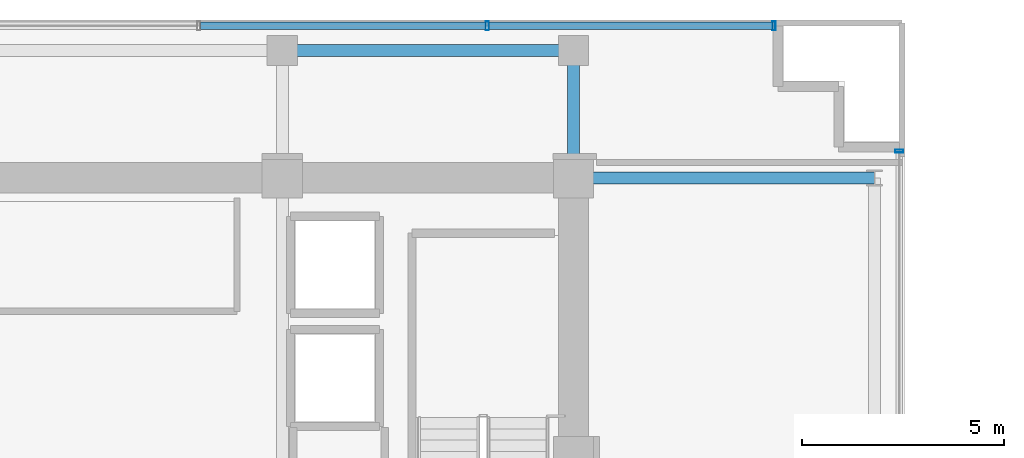
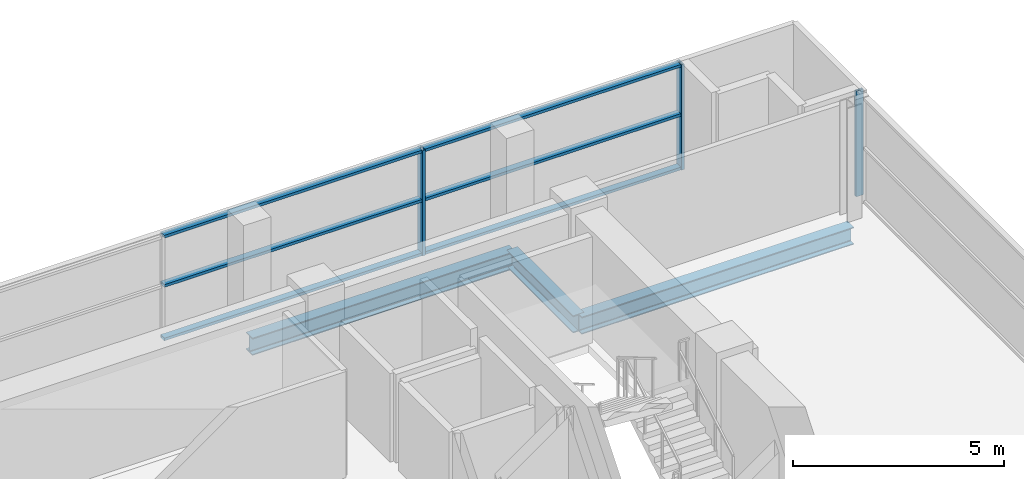
# One storey, part 16 of 25: 9 members, 3 beams, 2 elements without a shape of their own.
"""IFC4 building model written with IfcOpenShell, lengths in metres."""

import ifcopenshell
import ifcopenshell.guid

model = None  # the IFC model being written
_history = None  # IfcOwnerHistory: only IFC2X3 demands one
_inside = {}  # id of a spatial element -> (the spatial element, [elements in it])
_under = {}  # id of a project, library or spatial element -> (it, [spatial elements below it])
_declared = {}  # id of a project -> (the project, [libraries it declares])
_typed = {}  # id of a type object -> (the type object, [elements of that type])
_made_of = {}  # id of a material, layer set ... -> (it, [elements and type objects made of it])


def new_model(schema):
    """Start an empty IFC model of exactly this schema.

    Asked for "IFC4X3", IfcOpenShell would pick the latest addendum, in which some entities
    have other attributes; the version numbers below select the first issue.
    IFC2X3 requires an IfcOwnerHistory on every rooted entity: one is made here for all.
    """
    global model, _history
    if schema == "IFC4X3":
        model = ifcopenshell.file(schema_version=(4, 3, 0, 0))
    else:
        model = ifcopenshell.file(schema=schema)
    _inside.clear()
    _under.clear()
    _declared.clear()
    _typed.clear()
    _made_of.clear()
    _history = None
    if model.schema == "IFC2X3":
        org = make("IfcOrganization", Name="unknown")
        user = make(
            "IfcPersonAndOrganization",
            ThePerson=make("IfcPerson", FamilyName="unknown"),
            TheOrganization=org,
        )
        app = make(
            "IfcApplication",
            ApplicationDeveloper=org,
            Version="unknown",
            ApplicationFullName="unknown",
            ApplicationIdentifier="unknown",
        )
        _history = make(
            "IfcOwnerHistory",
            OwningUser=user,
            OwningApplication=app,
            ChangeAction="ADDED",
            CreationDate=0,
        )
    return model


def make(cls, **values):
    """One entity of the class cls with the attributes given. An attribute that is None is left unset."""
    return model.create_entity(
        cls, **{name: value for name, value in values.items() if value is not None}
    )


def rooted(cls, **values):
    """An entity with a GlobalId (a new one), such as an element, a storey or a relation."""
    return make(cls, GlobalId=ifcopenshell.guid.new(), OwnerHistory=_history, **values)


def si_unit(unit_type, name, prefix=None):
    """IfcSIUnit, for example si_unit("LENGTHUNIT", "METRE", prefix="MILLI")."""
    return make("IfcSIUnit", UnitType=unit_type, Prefix=prefix, Name=name)


def assignment(units):
    """IfcUnitAssignment: the units of a project."""
    return None if units is None else make("IfcUnitAssignment", Units=units)


def point(xyz):
    """IfcCartesianPoint."""
    return None if xyz is None else make("IfcCartesianPoint", Coordinates=xyz)


def direction(xyz):
    """IfcDirection."""
    return None if xyz is None else make("IfcDirection", DirectionRatios=xyz)


def frame(location, z_axis=None, x_axis=None):
    """IfcAxis2Placement3D, a coordinate frame: its origin and axes. An axis left out is left unset."""
    return make(
        "IfcAxis2Placement3D",
        Location=point(location),
        Axis=direction(z_axis),
        RefDirection=direction(x_axis),
    )


def frame_2d(location, x_axis=None):
    """IfcAxis2Placement2D, a coordinate frame in the plane: its origin and x axis."""
    return make(
        "IfcAxis2Placement2D", Location=point(location), RefDirection=direction(x_axis)
    )


def origin():
    """The frame at (0, 0, 0) with its axes left unset."""
    return frame((0.0, 0.0, 0.0))


def origin_2d():
    """The frame at (0, 0) in the plane with its x axis left unset."""
    return frame_2d((0.0, 0.0))


def place(relative_to, where):
    """IfcLocalPlacement: puts the frame where relative to a parent placement (None: the world)."""
    return make(
        "IfcLocalPlacement", PlacementRelTo=relative_to, RelativePlacement=where
    )


def context(
    kind, dimensions, precision=None, world=None, true_north=None, identifier=None
):
    """IfcGeometricRepresentationContext, for example the 3D "Model" context."""
    return make(
        "IfcGeometricRepresentationContext",
        ContextIdentifier=identifier,
        ContextType=kind,
        CoordinateSpaceDimension=dimensions,
        Precision=precision,
        WorldCoordinateSystem=world,
        TrueNorth=true_north,
    )


def subcontext(parent, identifier, kind, view, scale=None):
    """IfcGeometricRepresentationSubContext, for example "Body" below "Model"."""
    return make(
        "IfcGeometricRepresentationSubContext",
        ContextIdentifier=identifier,
        ContextType=kind,
        ParentContext=parent,
        TargetScale=scale,
        TargetView=view,
    )


def project(units=None, contexts=None):
    """IfcProject with its units and contexts."""
    return rooted(
        "IfcProject",
        Name="project",
        RepresentationContexts=contexts,
        UnitsInContext=assignment(units),
    )


def spatial(cls, under=None, at=None, **own):
    """A site, building, storey or space (cls), placed at a placement, below another one or the project."""
    s = rooted(cls, ObjectPlacement=at, **own)
    if under is not None:
        _under.setdefault(under.id(), (under, []))[1].append(s)
    return s


def profile(cls, at=None, kind="AREA", **sizes):
    """A parametric profile (cls). Its sizes go by their IFC names, for example OverallWidth=200.0."""
    return make(cls, ProfileType=kind, Position=at, **sizes)


def hollow_rectangle(**sizes):
    """IfcRectangleHollowProfileDef."""
    return profile("IfcRectangleHollowProfileDef", **sizes)


def i_section(**sizes):
    """IfcIShapeProfileDef."""
    return profile("IfcIShapeProfileDef", **sizes)


def extrude(swept, where, along, depth):
    """IfcExtrudedAreaSolid: the profile swept, set in the frame where, extruded along a direction by depth."""
    return make(
        "IfcExtrudedAreaSolid",
        SweptArea=swept,
        Position=where,
        ExtrudedDirection=direction(along),
        Depth=depth,
    )


def shape(context_of_items, identifier, shape_type, items):
    """IfcShapeRepresentation: the items that make up one representation, for example the "Body"."""
    return make(
        "IfcShapeRepresentation",
        ContextOfItems=context_of_items,
        RepresentationIdentifier=identifier,
        RepresentationType=shape_type,
        Items=items,
    )


def source(mapping_origin, context_of_items, identifier, shape_type, items):
    """IfcRepresentationMap: a shape defined once, which mapped items show again and again."""
    return make(
        "IfcRepresentationMap",
        MappingOrigin=mapping_origin,
        MappedRepresentation=shape(context_of_items, identifier, shape_type, items),
    )


def transform(
    local_origin,
    x_axis=None,
    y_axis=None,
    z_axis=None,
    scale=None,
    scale2=None,
    scale3=None,
    uniform=True,
):
    """IfcCartesianTransformationOperator3D, or its non-uniform kind. x_axis, y_axis, z_axis: its Axis1, 2, 3."""
    if uniform:
        return make(
            "IfcCartesianTransformationOperator3D",
            Axis1=direction(x_axis),
            Axis2=direction(y_axis),
            LocalOrigin=point(local_origin),
            Scale=scale,
            Axis3=direction(z_axis),
        )
    return make(
        "IfcCartesianTransformationOperator3DnonUniform",
        Axis1=direction(x_axis),
        Axis2=direction(y_axis),
        LocalOrigin=point(local_origin),
        Scale=scale,
        Axis3=direction(z_axis),
        Scale2=scale2,
        Scale3=scale3,
    )


def mapped(mapping_source, mapping_target):
    """IfcMappedItem: shows the shape of a source again, moved by a transform."""
    return make(
        "IfcMappedItem", MappingSource=mapping_source, MappingTarget=mapping_target
    )


def material(Name=None, Category=None):
    """IfcMaterial."""
    return make("IfcMaterial", Name=Name, Category=Category)


def layer(
    of_material, thickness, ventilated=None, Name=None, Category=None, Priority=None
):
    """IfcMaterialLayer: one layer of a wall or slab, of a material (None: an air gap)."""
    return make(
        "IfcMaterialLayer",
        Material=of_material,
        LayerThickness=thickness,
        IsVentilated=ventilated,
        Name=Name,
        Category=Category,
        Priority=Priority,
    )


def layer_set(layers, Name=None):
    """IfcMaterialLayerSet."""
    return make("IfcMaterialLayerSet", MaterialLayers=layers, LayerSetName=Name)


def material_profile(
    of_material, cross_section, Name=None, Category=None, Priority=None
):
    """IfcMaterialProfile: a cross section and its material."""
    return make(
        "IfcMaterialProfile",
        Name=Name,
        Material=of_material,
        Profile=cross_section,
        Priority=Priority,
        Category=Category,
    )


def profile_set(profiles, Name=None, composite=None):
    """IfcMaterialProfileSet."""
    return make(
        "IfcMaterialProfileSet",
        Name=Name,
        MaterialProfiles=profiles,
        CompositeProfile=composite,
    )


def made_of(thing, what):
    """Note that an element or type object is made of a material, layer set ...; save() writes the relation."""
    if what is not None:
        _made_of.setdefault(what.id(), (what, []))[1].append(thing)
    return thing


def type_object(cls, material=None, **own):
    """A type object (cls), such as IfcWallType, which elements share."""
    return made_of(rooted(cls, **own), material)


def element(
    cls,
    number,
    at=None,
    inside=None,
    cuts=None,
    type_object=None,
    material=None,
    context=None,
    identifier="Body",
    shape_type=None,
    held_by="IfcProductDefinitionShape",
    body=None,
    shapes=None,
    **own,
):
    """One element of the class cls, such as IfcWall. Its Tag is "e" and its number.

    at: its placement. inside: the storey or other place that contains it. cuts: it is an
    opening in that element (IfcRelVoidsElement). A single representation is given by context,
    identifier, shape_type and body (its items); several are given by shapes. held_by: the class
    of the entity that holds the representations. save() writes the other relations.
    """
    e = rooted(cls, Tag="e%d" % number, ObjectPlacement=at, **own)
    if body is not None:
        shapes = [shape(context, identifier, shape_type, body)]
    if shapes is not None:
        e.Representation = make(held_by, Representations=shapes)
    if inside is not None:
        _inside.setdefault(inside.id(), (inside, []))[1].append(e)
    if cuts is not None:
        rooted(
            "IfcRelVoidsElement", RelatingBuildingElement=cuts, RelatedOpeningElement=e
        )
    if type_object is not None:
        _typed.setdefault(type_object.id(), (type_object, []))[1].append(e)
    return made_of(e, material)


def aggregate(whole, parts):
    """IfcRelAggregates: a whole, such as a stair, and the parts it consists of."""
    return rooted("IfcRelAggregates", RelatingObject=whole, RelatedObjects=parts)


def save(model, path):
    """Write the relations noted so far, then the file.

    IfcRelAggregates (storeys below a building ...), IfcRelContainedInSpatialStructure (elements
    in a storey), IfcRelDefinesByType, IfcRelAssociatesMaterial and IfcRelDeclares: one each for
    every whole, place, type object, material and project.
    """
    for whole, parts in _under.values():
        aggregate(whole, parts)
    for where, things in _inside.values():
        rooted(
            "IfcRelContainedInSpatialStructure",
            RelatedElements=things,
            RelatingStructure=where,
        )
    for kind, things in _typed.values():
        rooted("IfcRelDefinesByType", RelatedObjects=things, RelatingType=kind)
    for what, things in _made_of.values():
        rooted("IfcRelAssociatesMaterial", RelatedObjects=things, RelatingMaterial=what)
    for by, libraries in _declared.values():
        rooted("IfcRelDeclares", RelatingContext=by, RelatedDefinitions=libraries)
    model.write(path)


model = new_model("IFC4")

# Units and contexts
model_context = context("Model", 3, precision=1e-05, world=origin(), true_north=direction((0.0, 1.0)))
body_context = subcontext(model_context, "Body", "Model", "MODEL_VIEW")
ifc_project = project(units=[si_unit("LENGTHUNIT", "METRE"), si_unit("AREAUNIT", "SQUARE_METRE"), si_unit("VOLUMEUNIT", "CUBIC_METRE"), si_unit("PLANEANGLEUNIT", "RADIAN"), si_unit("MASSUNIT", "GRAM", prefix="KILO")], contexts=[model_context])

# Site, building, storey
site_placement = place(None, origin())
site = spatial("IfcSite", under=ifc_project, at=site_placement, CompositionType="ELEMENT")
building_placement = place(site_placement, origin())
building = spatial("IfcBuilding", under=site, at=building_placement, Name="Zarnakvel Exchange Tower", CompositionType="ELEMENT")
storey_placement = place(building_placement, frame((0.0, 0.0, 169.300048828125)))
storey = spatial("IfcBuildingStorey", under=building, at=storey_placement, Name="L47", CompositionType="ELEMENT", Elevation=169.300048828125)

# Beams
ifc_material_1 = material(Name="Steel S355", Category="steel")
ifc_material_profile_1 = material_profile(ifc_material_1, i_section(OverallWidth=0.300048828125, OverallDepth=0.5, WebThickness=0.014404296875, FlangeThickness=0.028076171875, FilletRadius=0.027099609375, at=origin_2d()))
ifc_profile_set_1 = profile_set([ifc_material_profile_1], Name="Steel S355")
beam_type_1 = type_object("IfcBeamType", Name="G-06", PredefinedType="BEAM", material=ifc_profile_set_1)
beam_1_placement = place(storey_placement, frame((14.39990234375, 13.5, -0.47509765625), z_axis=(1.0, 0.0, 0.0), x_axis=(0.0, 1.0, 0.0)))
element("IfcBeam", 1, at=beam_1_placement, inside=storey, type_object=beam_type_1, Name="L47 Tower E-W Frame Beam", PredefinedType="BEAM", context=body_context, shape_type="SweptSolid", body=[
    extrude(i_section(OverallWidth=0.300048828125, OverallDepth=0.5, WebThickness=0.014404296875, FlangeThickness=0.028076171875, FilletRadius=0.027099609375, at=origin_2d()), origin(), (0.0, 0.0, 1.0), 7.4501953125),
])
beam_2_placement = place(storey_placement, frame((14.39990234375, 13.5, -0.47509765625), z_axis=(0.0, 1.0, 0.0), x_axis=(-1.0, 0.0, 0.0)))
element("IfcBeam", 2, at=beam_2_placement, inside=storey, type_object=beam_type_1, Name="L47 Tower N-S Frame Beam", PredefinedType="BEAM", context=body_context, shape_type="SweptSolid", body=[
    extrude(i_section(OverallWidth=0.300048828125, OverallDepth=0.5, WebThickness=0.014404296875, FlangeThickness=0.028076171875, FilletRadius=0.027099609375, at=origin_2d()), origin(), (0.0, 0.0, 1.0), 3.14990234375),
])
ifc_material_profile_2 = material_profile(ifc_material_1, i_section(OverallWidth=0.300048828125, OverallDepth=0.5, WebThickness=0.014404296875, FlangeThickness=0.028076171875, FilletRadius=0.027099609375, at=origin_2d()))
ifc_profile_set_2 = profile_set([ifc_material_profile_2], Name="Steel S355")
beam_type_2 = type_object("IfcBeamType", Name="SP-02", PredefinedType="SPANDREL", material=ifc_profile_set_2)
beam_3_placement = place(storey_placement, frame((7.199951171875, 16.64990234375, -0.47509765625), z_axis=(1.0, 0.0, 0.0), x_axis=(0.0, 1.0, 0.0)))
element("IfcBeam", 3, at=beam_3_placement, inside=storey, type_object=beam_type_2, Name="L47 Tower E-W Frame Beam", PredefinedType="SPANDREL", context=body_context, shape_type="SweptSolid", body=[
    extrude(i_section(OverallWidth=0.300048828125, OverallDepth=0.5, WebThickness=0.014404296875, FlangeThickness=0.028076171875, FilletRadius=0.027099609375, at=origin_2d()), origin(), (0.0, 0.0, 1.0), 7.199951171875),
])

# Curtain wall, member
ifc_material_2 = material(Name="Architectural Bronze Anodised Aluminium", Category="aluminium")
ifc_layer_1 = layer(ifc_material_2, 0.199951171875)
ifc_layer_set_1 = layer_set([ifc_layer_1], Name="Architectural Bronze Anodised Aluminium")
curtain_wall_type_1 = type_object("IfcCurtainWallType", Name="CW-04", PredefinedType="NOTDEFINED", material=ifc_layer_set_1)
curtain_wall_1_placement = place(storey_placement, origin())
curtain_wall_1 = element("IfcCurtainWall", 4, at=curtain_wall_1_placement, inside=storey, type_object=curtain_wall_type_1, Name="L47 Curtain Wall CW-L47-EN (CW-04)", PredefinedType="NOTDEFINED")
ifc_material_profile_3 = material_profile(ifc_material_2, hollow_rectangle(XDim=0.199951171875, YDim=0.074951171875, WallThickness=0.0048828125, at=origin_2d()))
ifc_profile_set_3 = profile_set([ifc_material_profile_3], Name="Architectural Bronze Anodised Aluminium")
member_type_1 = type_object("IfcMemberType", Name="CWM-04", PredefinedType="MULLION", material=ifc_profile_set_3)
shared_shape_1 = source(origin(), body_context, "Body", "SweptSolid", [
    extrude(hollow_rectangle(XDim=0.199951171875, YDim=0.074951171875, WallThickness=0.0048828125, at=origin_2d()), origin(), (0.0, 0.0, 1.0), 3.054931640625),
])
member_1_placement = place(storey_placement, frame((22.4599609375, 14.16259765625, 0.0), z_axis=(0.0, 0.0, 1.0), x_axis=(-1.0, 0.0, 0.0)))
member_1 = element("IfcMember", 5, at=member_1_placement, type_object=member_type_1, Name="CW-04 mullion 3", PredefinedType="MULLION", context=body_context, shape_type="MappedRepresentation", body=[
    mapped(shared_shape_1, transform((0.0, 0.0, 0.0), x_axis=(1.0, 0.0, 0.0), y_axis=(0.0, 1.0, 0.0), z_axis=(0.0, 0.0, 1.0), scale=1.0)),
])
aggregate(curtain_wall_1, [member_1])

# Curtain wall, members
ifc_layer_2 = layer(ifc_material_2, 0.219970703125)
ifc_layer_set_2 = layer_set([ifc_layer_2], Name="Architectural Bronze Anodised Aluminium")
curtain_wall_type_2 = type_object("IfcCurtainWallType", Name="CW-03", PredefinedType="NOTDEFINED", material=ifc_layer_set_2)
curtain_wall_2_placement = place(storey_placement, origin())
curtain_wall_2 = element("IfcCurtainWall", 6, at=curtain_wall_2_placement, inside=storey, type_object=curtain_wall_type_2, Name="L47 Curtain Wall CW-L47-N1 (CW-03)", PredefinedType="NOTDEFINED")
ifc_material_profile_4 = material_profile(ifc_material_2, hollow_rectangle(XDim=0.219970703125, YDim=0.080078125, WallThickness=0.0048828125, at=origin_2d()))
ifc_profile_set_4 = profile_set([ifc_material_profile_4], Name="Architectural Bronze Anodised Aluminium")
member_type_2 = type_object("IfcMemberType", Name="CWM-03", PredefinedType="MULLION", material=ifc_profile_set_4)
shared_shape_2 = source(origin(), body_context, "Body", "SweptSolid", [
    extrude(hollow_rectangle(XDim=0.219970703125, YDim=0.080078125, WallThickness=0.0048828125, at=origin_2d()), origin(), (0.0, 0.0, 1.0), 3.054931640625),
])
member_2_placement = place(storey_placement, frame((12.2666015625, 17.260009765625, 0.0), z_axis=(0.0, 0.0, 1.0), x_axis=(0.0, 1.0, 0.0)))
member_2 = element("IfcMember", 7, at=member_2_placement, type_object=member_type_2, Name="CW-03 mullion 6", PredefinedType="MULLION", context=body_context, shape_type="MappedRepresentation", body=[
    mapped(shared_shape_2, transform((0.0, 0.0, 0.0), x_axis=(1.0, 0.0, 0.0), y_axis=(0.0, 1.0, 0.0), z_axis=(0.0, 0.0, 1.0), scale=1.0)),
])
member_3_placement = place(storey_placement, frame((19.360107421875, 17.260009765625, 0.0), z_axis=(0.0, 0.0, 1.0), x_axis=(0.0, 1.0, 0.0)))
member_3 = element("IfcMember", 8, at=member_3_placement, type_object=member_type_2, Name="CW-03 mullion 7", PredefinedType="MULLION", context=body_context, shape_type="MappedRepresentation", body=[
    mapped(shared_shape_2, transform((0.0, 0.0, 0.0), x_axis=(1.0, 0.0, 0.0), y_axis=(0.0, 1.0, 0.0), z_axis=(0.0, 0.0, 1.0), scale=1.0)),
])
ifc_material_profile_5 = material_profile(ifc_material_2, hollow_rectangle(XDim=0.179931640625, YDim=0.080078125, WallThickness=0.00390625, at=origin_2d()))
ifc_profile_set_5 = profile_set([ifc_material_profile_5], Name="Architectural Bronze Anodised Aluminium")
member_type_3 = type_object("IfcMemberType", Name="CWT-03", PredefinedType="USERDEFINED", material=ifc_profile_set_5)
shared_shape_3 = source(origin(), body_context, "Body", "SweptSolid", [
    extrude(hollow_rectangle(XDim=0.179931640625, YDim=0.080078125, WallThickness=0.00390625, at=origin_2d()), origin(), (0.0, 0.0, 1.0), 7.013427734375),
])
member_4_placement = place(storey_placement, frame((12.306640625, 17.260009765625, 0.0400390625), z_axis=(1.0, 0.0, 0.0), x_axis=(0.0, 1.0, 0.0)))
member_4 = element("IfcMember", 9, at=member_4_placement, type_object=member_type_3, Name="CW-03 transom 6.1", ObjectType="TRANSOM", PredefinedType="USERDEFINED", context=body_context, shape_type="MappedRepresentation", body=[
    mapped(shared_shape_3, transform((0.0, 0.0, 0.0), x_axis=(1.0, 0.0, 0.0), y_axis=(0.0, 1.0, 0.0), z_axis=(0.0, 0.0, 1.0), scale=1.0)),
])
member_5_placement = place(storey_placement, frame((12.306640625, 17.260009765625, 1.588623046875), z_axis=(1.0, 0.0, 0.0), x_axis=(0.0, 1.0, 0.0)))
member_5 = element("IfcMember", 10, at=member_5_placement, type_object=member_type_3, Name="CW-03 transom 6.2", ObjectType="TRANSOM", PredefinedType="USERDEFINED", context=body_context, shape_type="MappedRepresentation", body=[
    mapped(shared_shape_3, transform((0.0, 0.0, 0.0), x_axis=(1.0, 0.0, 0.0), y_axis=(0.0, 1.0, 0.0), z_axis=(0.0, 0.0, 1.0), scale=1.0)),
])
member_6_placement = place(storey_placement, frame((12.306640625, 17.260009765625, 3.014892578125), z_axis=(1.0, 0.0, 0.0), x_axis=(0.0, 1.0, 0.0)))
member_6 = element("IfcMember", 11, at=member_6_placement, type_object=member_type_3, Name="CW-03 transom 6.3", ObjectType="TRANSOM", PredefinedType="USERDEFINED", context=body_context, shape_type="MappedRepresentation", body=[
    mapped(shared_shape_3, transform((0.0, 0.0, 0.0), x_axis=(1.0, 0.0, 0.0), y_axis=(0.0, 1.0, 0.0), z_axis=(0.0, 0.0, 1.0), scale=1.0)),
])
shared_shape_4 = source(origin(), body_context, "Body", "SweptSolid", [
    extrude(hollow_rectangle(XDim=0.179931640625, YDim=0.080078125, WallThickness=0.00390625, at=origin_2d()), origin(), (0.0, 0.0, 1.0), 7.05322265625),
])
member_7_placement = place(storey_placement, frame((5.17333984375, 17.260009765625, 0.0400390625), z_axis=(1.0, 0.0, 0.0), x_axis=(0.0, 1.0, 0.0)))
member_7 = element("IfcMember", 12, at=member_7_placement, type_object=member_type_3, Name="CW-03 transom 5.1", ObjectType="TRANSOM", PredefinedType="USERDEFINED", context=body_context, shape_type="MappedRepresentation", body=[
    mapped(shared_shape_4, transform((0.0, 0.0, 0.0), x_axis=(1.0, 0.0, 0.0), y_axis=(0.0, 1.0, 0.0), z_axis=(0.0, 0.0, 1.0), scale=1.0)),
])
member_8_placement = place(storey_placement, frame((5.17333984375, 17.260009765625, 1.588623046875), z_axis=(1.0, 0.0, 0.0), x_axis=(0.0, 1.0, 0.0)))
member_8 = element("IfcMember", 13, at=member_8_placement, type_object=member_type_3, Name="CW-03 transom 5.2", ObjectType="TRANSOM", PredefinedType="USERDEFINED", context=body_context, shape_type="MappedRepresentation", body=[
    mapped(shared_shape_4, transform((0.0, 0.0, 0.0), x_axis=(1.0, 0.0, 0.0), y_axis=(0.0, 1.0, 0.0), z_axis=(0.0, 0.0, 1.0), scale=1.0)),
])
member_9_placement = place(storey_placement, frame((5.17333984375, 17.260009765625, 3.014892578125), z_axis=(1.0, 0.0, 0.0), x_axis=(0.0, 1.0, 0.0)))
member_9 = element("IfcMember", 14, at=member_9_placement, type_object=member_type_3, Name="CW-03 transom 5.3", ObjectType="TRANSOM", PredefinedType="USERDEFINED", context=body_context, shape_type="MappedRepresentation", body=[
    mapped(shared_shape_4, transform((0.0, 0.0, 0.0), x_axis=(1.0, 0.0, 0.0), y_axis=(0.0, 1.0, 0.0), z_axis=(0.0, 0.0, 1.0), scale=1.0)),
])
aggregate(curtain_wall_2, [member_2, member_3, member_7, member_8, member_9, member_4, member_5, member_6])

save(model, "model.ifc")
